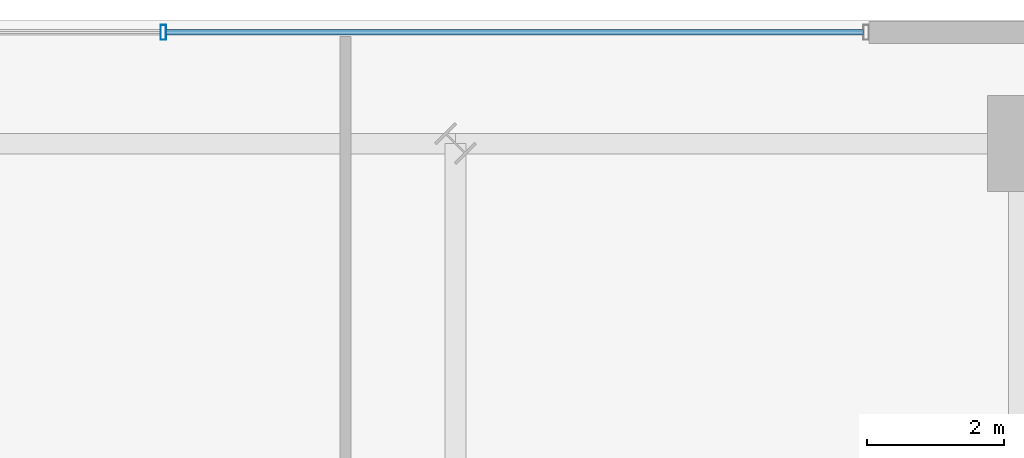
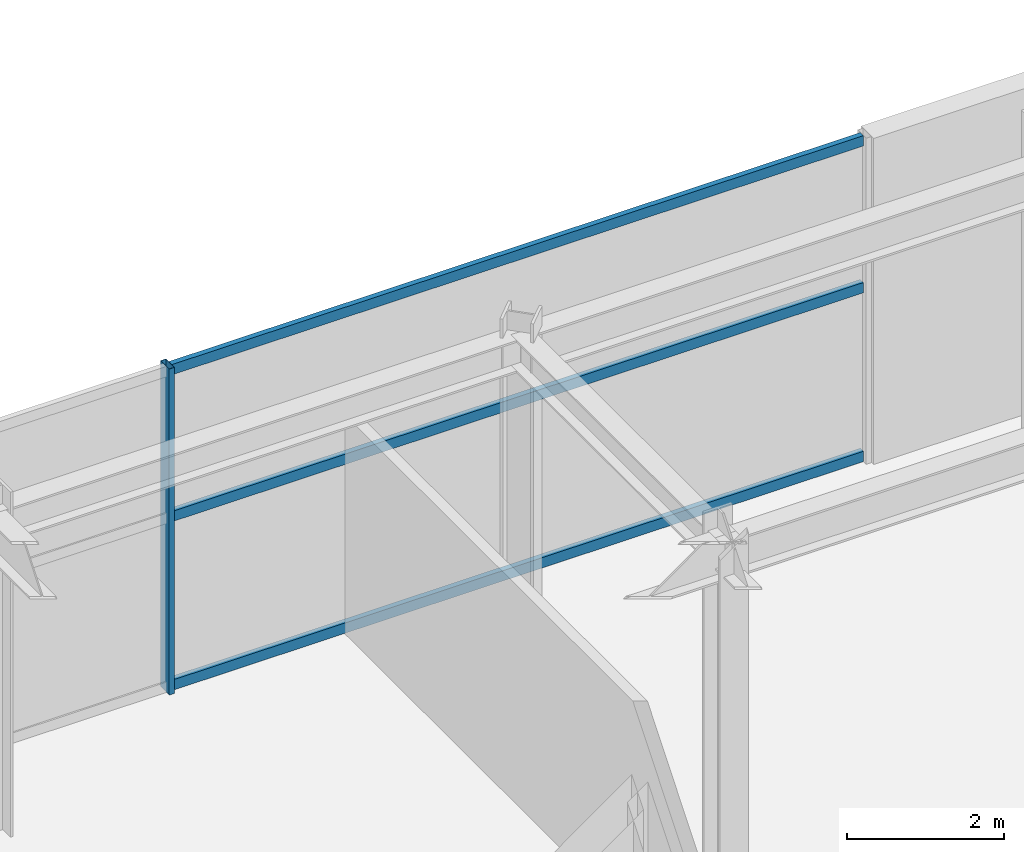
# One storey, part 20 of 32: 4 members, 1 element without a shape of its own.
"""IFC4 building model written with IfcOpenShell, lengths in metres."""

import ifcopenshell
import ifcopenshell.guid

model = None  # the IFC model being written
_history = None  # IfcOwnerHistory: only IFC2X3 demands one
_inside = {}  # id of a spatial element -> (the spatial element, [elements in it])
_under = {}  # id of a project, library or spatial element -> (it, [spatial elements below it])
_declared = {}  # id of a project -> (the project, [libraries it declares])
_typed = {}  # id of a type object -> (the type object, [elements of that type])
_made_of = {}  # id of a material, layer set ... -> (it, [elements and type objects made of it])


def new_model(schema):
    """Start an empty IFC model of exactly this schema.

    Asked for "IFC4X3", IfcOpenShell would pick the latest addendum, in which some entities
    have other attributes; the version numbers below select the first issue.
    IFC2X3 requires an IfcOwnerHistory on every rooted entity: one is made here for all.
    """
    global model, _history
    if schema == "IFC4X3":
        model = ifcopenshell.file(schema_version=(4, 3, 0, 0))
    else:
        model = ifcopenshell.file(schema=schema)
    _inside.clear()
    _under.clear()
    _declared.clear()
    _typed.clear()
    _made_of.clear()
    _history = None
    if model.schema == "IFC2X3":
        org = make("IfcOrganization", Name="unknown")
        user = make(
            "IfcPersonAndOrganization",
            ThePerson=make("IfcPerson", FamilyName="unknown"),
            TheOrganization=org,
        )
        app = make(
            "IfcApplication",
            ApplicationDeveloper=org,
            Version="unknown",
            ApplicationFullName="unknown",
            ApplicationIdentifier="unknown",
        )
        _history = make(
            "IfcOwnerHistory",
            OwningUser=user,
            OwningApplication=app,
            ChangeAction="ADDED",
            CreationDate=0,
        )
    return model


def make(cls, **values):
    """One entity of the class cls with the attributes given. An attribute that is None is left unset."""
    return model.create_entity(
        cls, **{name: value for name, value in values.items() if value is not None}
    )


def rooted(cls, **values):
    """An entity with a GlobalId (a new one), such as an element, a storey or a relation."""
    return make(cls, GlobalId=ifcopenshell.guid.new(), OwnerHistory=_history, **values)


def si_unit(unit_type, name, prefix=None):
    """IfcSIUnit, for example si_unit("LENGTHUNIT", "METRE", prefix="MILLI")."""
    return make("IfcSIUnit", UnitType=unit_type, Prefix=prefix, Name=name)


def assignment(units):
    """IfcUnitAssignment: the units of a project."""
    return None if units is None else make("IfcUnitAssignment", Units=units)


def point(xyz):
    """IfcCartesianPoint."""
    return None if xyz is None else make("IfcCartesianPoint", Coordinates=xyz)


def direction(xyz):
    """IfcDirection."""
    return None if xyz is None else make("IfcDirection", DirectionRatios=xyz)


def frame(location, z_axis=None, x_axis=None):
    """IfcAxis2Placement3D, a coordinate frame: its origin and axes. An axis left out is left unset."""
    return make(
        "IfcAxis2Placement3D",
        Location=point(location),
        Axis=direction(z_axis),
        RefDirection=direction(x_axis),
    )


def frame_2d(location, x_axis=None):
    """IfcAxis2Placement2D, a coordinate frame in the plane: its origin and x axis."""
    return make(
        "IfcAxis2Placement2D", Location=point(location), RefDirection=direction(x_axis)
    )


def origin():
    """The frame at (0, 0, 0) with its axes left unset."""
    return frame((0.0, 0.0, 0.0))


def origin_2d():
    """The frame at (0, 0) in the plane with its x axis left unset."""
    return frame_2d((0.0, 0.0))


def place(relative_to, where):
    """IfcLocalPlacement: puts the frame where relative to a parent placement (None: the world)."""
    return make(
        "IfcLocalPlacement", PlacementRelTo=relative_to, RelativePlacement=where
    )


def context(
    kind, dimensions, precision=None, world=None, true_north=None, identifier=None
):
    """IfcGeometricRepresentationContext, for example the 3D "Model" context."""
    return make(
        "IfcGeometricRepresentationContext",
        ContextIdentifier=identifier,
        ContextType=kind,
        CoordinateSpaceDimension=dimensions,
        Precision=precision,
        WorldCoordinateSystem=world,
        TrueNorth=true_north,
    )


def subcontext(parent, identifier, kind, view, scale=None):
    """IfcGeometricRepresentationSubContext, for example "Body" below "Model"."""
    return make(
        "IfcGeometricRepresentationSubContext",
        ContextIdentifier=identifier,
        ContextType=kind,
        ParentContext=parent,
        TargetScale=scale,
        TargetView=view,
    )


def project(units=None, contexts=None):
    """IfcProject with its units and contexts."""
    return rooted(
        "IfcProject",
        Name="project",
        RepresentationContexts=contexts,
        UnitsInContext=assignment(units),
    )


def spatial(cls, under=None, at=None, **own):
    """A site, building, storey or space (cls), placed at a placement, below another one or the project."""
    s = rooted(cls, ObjectPlacement=at, **own)
    if under is not None:
        _under.setdefault(under.id(), (under, []))[1].append(s)
    return s


def profile(cls, at=None, kind="AREA", **sizes):
    """A parametric profile (cls). Its sizes go by their IFC names, for example OverallWidth=200.0."""
    return make(cls, ProfileType=kind, Position=at, **sizes)


def hollow_rectangle(**sizes):
    """IfcRectangleHollowProfileDef."""
    return profile("IfcRectangleHollowProfileDef", **sizes)


def extrude(swept, where, along, depth):
    """IfcExtrudedAreaSolid: the profile swept, set in the frame where, extruded along a direction by depth."""
    return make(
        "IfcExtrudedAreaSolid",
        SweptArea=swept,
        Position=where,
        ExtrudedDirection=direction(along),
        Depth=depth,
    )


def shape(context_of_items, identifier, shape_type, items):
    """IfcShapeRepresentation: the items that make up one representation, for example the "Body"."""
    return make(
        "IfcShapeRepresentation",
        ContextOfItems=context_of_items,
        RepresentationIdentifier=identifier,
        RepresentationType=shape_type,
        Items=items,
    )


def source(mapping_origin, context_of_items, identifier, shape_type, items):
    """IfcRepresentationMap: a shape defined once, which mapped items show again and again."""
    return make(
        "IfcRepresentationMap",
        MappingOrigin=mapping_origin,
        MappedRepresentation=shape(context_of_items, identifier, shape_type, items),
    )


def transform(
    local_origin,
    x_axis=None,
    y_axis=None,
    z_axis=None,
    scale=None,
    scale2=None,
    scale3=None,
    uniform=True,
):
    """IfcCartesianTransformationOperator3D, or its non-uniform kind. x_axis, y_axis, z_axis: its Axis1, 2, 3."""
    if uniform:
        return make(
            "IfcCartesianTransformationOperator3D",
            Axis1=direction(x_axis),
            Axis2=direction(y_axis),
            LocalOrigin=point(local_origin),
            Scale=scale,
            Axis3=direction(z_axis),
        )
    return make(
        "IfcCartesianTransformationOperator3DnonUniform",
        Axis1=direction(x_axis),
        Axis2=direction(y_axis),
        LocalOrigin=point(local_origin),
        Scale=scale,
        Axis3=direction(z_axis),
        Scale2=scale2,
        Scale3=scale3,
    )


def mapped(mapping_source, mapping_target):
    """IfcMappedItem: shows the shape of a source again, moved by a transform."""
    return make(
        "IfcMappedItem", MappingSource=mapping_source, MappingTarget=mapping_target
    )


def material(Name=None, Category=None):
    """IfcMaterial."""
    return make("IfcMaterial", Name=Name, Category=Category)


def material_profile(
    of_material, cross_section, Name=None, Category=None, Priority=None
):
    """IfcMaterialProfile: a cross section and its material."""
    return make(
        "IfcMaterialProfile",
        Name=Name,
        Material=of_material,
        Profile=cross_section,
        Priority=Priority,
        Category=Category,
    )


def profile_set(profiles, Name=None, composite=None):
    """IfcMaterialProfileSet."""
    return make(
        "IfcMaterialProfileSet",
        Name=Name,
        MaterialProfiles=profiles,
        CompositeProfile=composite,
    )


def made_of(thing, what):
    """Note that an element or type object is made of a material, layer set ...; save() writes the relation."""
    if what is not None:
        _made_of.setdefault(what.id(), (what, []))[1].append(thing)
    return thing


def type_object(cls, material=None, **own):
    """A type object (cls), such as IfcWallType, which elements share."""
    return made_of(rooted(cls, **own), material)


def element(
    cls,
    number,
    at=None,
    inside=None,
    cuts=None,
    type_object=None,
    material=None,
    context=None,
    identifier="Body",
    shape_type=None,
    held_by="IfcProductDefinitionShape",
    body=None,
    shapes=None,
    **own,
):
    """One element of the class cls, such as IfcWall. Its Tag is "e" and its number.

    at: its placement. inside: the storey or other place that contains it. cuts: it is an
    opening in that element (IfcRelVoidsElement). A single representation is given by context,
    identifier, shape_type and body (its items); several are given by shapes. held_by: the class
    of the entity that holds the representations. save() writes the other relations.
    """
    e = rooted(cls, Tag="e%d" % number, ObjectPlacement=at, **own)
    if body is not None:
        shapes = [shape(context, identifier, shape_type, body)]
    if shapes is not None:
        e.Representation = make(held_by, Representations=shapes)
    if inside is not None:
        _inside.setdefault(inside.id(), (inside, []))[1].append(e)
    if cuts is not None:
        rooted(
            "IfcRelVoidsElement", RelatingBuildingElement=cuts, RelatedOpeningElement=e
        )
    if type_object is not None:
        _typed.setdefault(type_object.id(), (type_object, []))[1].append(e)
    return made_of(e, material)


def aggregate(whole, parts):
    """IfcRelAggregates: a whole, such as a stair, and the parts it consists of."""
    return rooted("IfcRelAggregates", RelatingObject=whole, RelatedObjects=parts)


def save(model, path):
    """Write the relations noted so far, then the file.

    IfcRelAggregates (storeys below a building ...), IfcRelContainedInSpatialStructure (elements
    in a storey), IfcRelDefinesByType, IfcRelAssociatesMaterial and IfcRelDeclares: one each for
    every whole, place, type object, material and project.
    """
    for whole, parts in _under.values():
        aggregate(whole, parts)
    for where, things in _inside.values():
        rooted(
            "IfcRelContainedInSpatialStructure",
            RelatedElements=things,
            RelatingStructure=where,
        )
    for kind, things in _typed.values():
        rooted("IfcRelDefinesByType", RelatedObjects=things, RelatingType=kind)
    for what, things in _made_of.values():
        rooted("IfcRelAssociatesMaterial", RelatedObjects=things, RelatingMaterial=what)
    for by, libraries in _declared.values():
        rooted("IfcRelDeclares", RelatingContext=by, RelatedDefinitions=libraries)
    model.write(path)


model = new_model("IFC4")

# Units and contexts
model_context = context("Model", 3, precision=1e-05, world=origin(), true_north=direction((0.0, 1.0)))
body_context = subcontext(model_context, "Body", "Model", "MODEL_VIEW")
ifc_project = project(units=[si_unit("LENGTHUNIT", "METRE"), si_unit("AREAUNIT", "SQUARE_METRE"), si_unit("VOLUMEUNIT", "CUBIC_METRE"), si_unit("PLANEANGLEUNIT", "RADIAN"), si_unit("MASSUNIT", "GRAM", prefix="KILO")], contexts=[model_context])

# Site, building, storey
site_placement = place(None, origin())
site = spatial("IfcSite", under=ifc_project, at=site_placement, CompositionType="ELEMENT")
building_placement = place(site_placement, origin())
building = spatial("IfcBuilding", under=site, at=building_placement, Name="Nahalor Promenade Grand Hotel", CompositionType="ELEMENT")
storey_placement = place(building_placement, frame((0.0, 0.0, 10.800048828125)))
storey = spatial("IfcBuildingStorey", under=building, at=storey_placement, Name="L02", CompositionType="ELEMENT", Elevation=10.800048828125)

# Curtain wall, members
ifc_material = material(Name="Anodised Bronze Aluminium EN AW-6063 T6", Category="aluminium")
curtain_wall_type = type_object("IfcCurtainWallType", Name="CW1 Waterfront Podium Bronze Arcade Curtain Wall", PredefinedType="USERDEFINED", material=ifc_material)
curtain_wall_placement = place(storey_placement, origin())
curtain_wall = element("IfcCurtainWall", 1, at=curtain_wall_placement, inside=storey, type_object=curtain_wall_type, Name="L02 Curtain Wall CW-L02-N", ObjectType="UNITISED_CURTAIN_WALL", PredefinedType="USERDEFINED")
ifc_material_profile_1 = material_profile(ifc_material, hollow_rectangle(XDim=0.08, YDim=0.22, WallThickness=0.005, at=origin_2d()), Name="CWM 80x220x5")
ifc_profile_set_1 = profile_set([ifc_material_profile_1], Name="Anodised Bronze Aluminium EN AW-6063 T6")
member_type_1 = type_object("IfcMemberType", Name="CWM1 Podium Bronze Mullion 80x220", PredefinedType="MULLION", material=ifc_profile_set_1)
shared_shape_1 = source(origin(), body_context, "Body", "SweptSolid", [
    extrude(hollow_rectangle(XDim=0.08, YDim=0.22, WallThickness=0.005, at=origin_2d()), origin(), (0.0, 0.0, 1.0), 5.06005859375),
])
member_1_placement = place(storey_placement, frame((20.546630859375, 23.820068359375, 0.0), z_axis=(0.0, 0.0, 1.0), x_axis=(1.0, 0.0, 0.0)))
member_1 = element("IfcMember", 2, at=member_1_placement, type_object=member_type_1, Name="CW-L02-N Mullion 5", PredefinedType="MULLION", context=body_context, shape_type="MappedRepresentation", body=[
    mapped(shared_shape_1, transform((0.0, 0.0, 0.0), scale=1.0)),
])
ifc_material_profile_2 = material_profile(ifc_material, hollow_rectangle(XDim=0.08, YDim=0.16, WallThickness=0.004, at=origin_2d()), Name="CWT 80x160x4")
ifc_profile_set_2 = profile_set([ifc_material_profile_2], Name="Anodised Bronze Aluminium EN AW-6063 T6")
member_type_2 = type_object("IfcMemberType", Name="CWT1 Podium Bronze Transom 80x160", PredefinedType="USERDEFINED", material=ifc_profile_set_2)
shared_shape_2 = source(origin(), body_context, "Body", "SweptSolid", [
    extrude(hollow_rectangle(XDim=0.08, YDim=0.16, WallThickness=0.004, at=origin_2d()), origin(), (0.0, 0.0, 1.0), 10.1533203125),
])
member_2_placement = place(storey_placement, frame((20.586669921875, 23.820068359375, 0.079833984375), z_axis=(1.0, 0.0, 0.0), x_axis=(0.0, 1.0, 0.0)))
member_2 = element("IfcMember", 3, at=member_2_placement, type_object=member_type_2, Name="CW-L02-N Transom 5-0", ObjectType="TRANSOM", PredefinedType="USERDEFINED", context=body_context, shape_type="MappedRepresentation", body=[
    mapped(shared_shape_2, transform((0.0, 0.0, 0.0), scale=1.0)),
])
member_3_placement = place(storey_placement, frame((20.586669921875, 23.820068359375, 2.699951171875), z_axis=(1.0, 0.0, 0.0), x_axis=(0.0, 1.0, 0.0)))
member_3 = element("IfcMember", 4, at=member_3_placement, type_object=member_type_2, Name="CW-L02-N Transom 5-1", ObjectType="TRANSOM", PredefinedType="USERDEFINED", context=body_context, shape_type="MappedRepresentation", body=[
    mapped(shared_shape_2, transform((0.0, 0.0, 0.0), scale=1.0)),
])
member_4_placement = place(storey_placement, frame((20.586669921875, 23.820068359375, 4.97998046875), z_axis=(1.0, 0.0, 0.0), x_axis=(0.0, 1.0, 0.0)))
member_4 = element("IfcMember", 5, at=member_4_placement, type_object=member_type_2, Name="CW-L02-N Transom 5-2", ObjectType="TRANSOM", PredefinedType="USERDEFINED", context=body_context, shape_type="MappedRepresentation", body=[
    mapped(shared_shape_2, transform((0.0, 0.0, 0.0), scale=1.0)),
])
aggregate(curtain_wall, [member_1, member_2, member_3, member_4])

save(model, "model.ifc")
